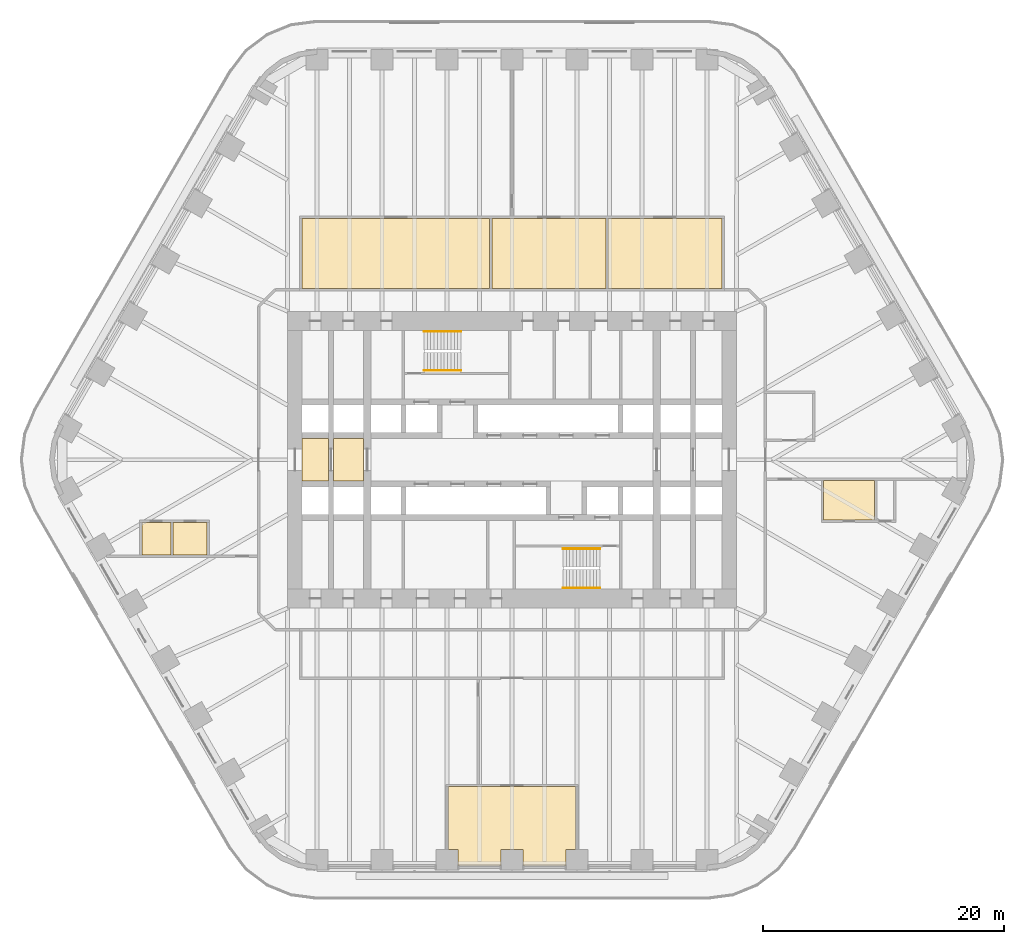
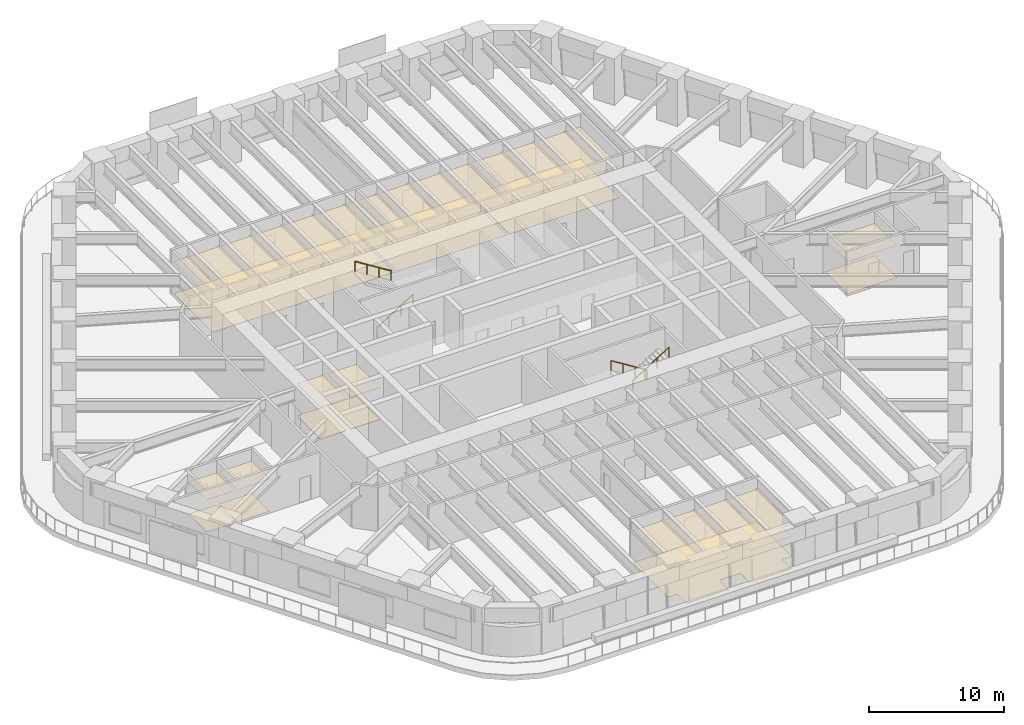
# One storey, part 21 of 23: 6 coverings, 4 railings.
"""IFC4 building model written with IfcOpenShell, lengths in metres."""

from ifc_helpers import new_model, si_unit, direction, frame, origin, origin_2d, place, context, subcontext, project, spatial, polyline, circle, outline, extrude, material, layer, layer_set, type_object, element, save


model = new_model("IFC4")

# Units and contexts
model_context = context("Model", 3, precision=1e-05, world=origin(), true_north=direction((0.0, 1.0)))
body_context = subcontext(model_context, "Body", "Model", "MODEL_VIEW")
ifc_project = project(units=[si_unit("LENGTHUNIT", "METRE"), si_unit("AREAUNIT", "SQUARE_METRE"), si_unit("VOLUMEUNIT", "CUBIC_METRE"), si_unit("PLANEANGLEUNIT", "RADIAN"), si_unit("MASSUNIT", "GRAM", prefix="KILO")], contexts=[model_context])

# Site, building, storey
site_placement = place(None, origin())
site = spatial("IfcSite", under=ifc_project, at=site_placement, CompositionType="ELEMENT")
building_placement = place(site_placement, origin())
building = spatial("IfcBuilding", under=site, at=building_placement, Name="Tarfa Lantern Tower", CompositionType="ELEMENT")
storey_placement = place(building_placement, frame((0.0, 0.0, 99.10009765625)))
storey = spatial("IfcBuildingStorey", under=building, at=storey_placement, Name="L22", CompositionType="ELEMENT", Elevation=99.10009765625)

# Coverings
ifc_material_1 = material(Name="Mineral fibre acoustic tile on suspension grid", Category="finish")
ifc_layer_1 = layer(ifc_material_1, 0.02001953125)
ifc_layer_set_1 = layer_set([ifc_layer_1], Name="CL1 ACOUSTIC TILE CEILING 20")
covering_type_1 = type_object("IfcCoveringType", Name="CL1 ACOUSTIC TILE CEILING 20", PredefinedType="CEILING", material=ifc_layer_set_1)
covering_1_placement = place(storey_placement, frame((0.0, 0.0, 2.89990234375)))
element("IfcCovering", 1, at=covering_1_placement, inside=storey, type_object=covering_type_1, Name="Ceiling L22 CL1", PredefinedType="CEILING", context=body_context, shape_type="SweptSolid", body=[
    extrude(outline(polyline([(-17.39990234375, 20.0), (-1.85009765625, 20.0), (-1.85009765625, 14.199951171875), (-17.39990234375, 14.199951171875), (-17.39990234375, 20.0)])), origin(), (0.0, 0.0, 1.0), 0.02001953125),
    extrude(outline(polyline([(-1.64990234375, 20.0), (7.77490234375, 20.0), (7.77490234375, 14.199951171875), (-1.64990234375, 14.199951171875), (-1.64990234375, 20.0)])), origin(), (0.0, 0.0, 1.0), 0.02001953125),
    extrude(outline(polyline([(7.97509765625, 20.0), (17.39990234375, 20.0), (17.39990234375, 14.199951171875), (7.97509765625, 14.199951171875), (7.97509765625, 20.0)])), origin(), (0.0, 0.0, 1.0), 0.02001953125),
    extrude(outline(polyline([(-5.28857421875, -27.10009765625), (5.28857421875, -27.10009765625), (5.28857421875, -32.300048828125), (4.488525390625, -32.300048828125), (4.488525390625, -33.64990234375), (0.89990234375, -33.64990234375), (0.89990234375, -32.300048828125), (-0.89990234375, -32.300048828125), (-0.89990234375, -33.64990234375), (-4.488525390625, -33.64990234375), (-4.488525390625, -32.300048828125), (-5.28857421875, -32.300048828125), (-5.28857421875, -27.10009765625)])), origin(), (0.0, 0.0, 1.0), 0.02001953125),
    extrude(outline(polyline([(-28.0810546875, -5.199951171875), (-25.281005859375, -5.199951171875), (-25.281005859375, -7.89990234375), (-28.0810546875, -7.89990234375), (-28.0810546875, -5.199951171875)])), origin(), (0.0, 0.0, 1.0), 0.02001953125),
    extrude(outline(polyline([(-30.680908203125, -5.199951171875), (-28.281005859375, -5.199951171875), (-28.281005859375, -7.89990234375), (-30.680908203125, -7.89990234375), (-30.680908203125, -5.199951171875)])), origin(), (0.0, 0.0, 1.0), 0.02001953125),
    extrude(outline(polyline([(30.03662109375, -5.0), (25.83642578125, -5.0), (25.83642578125, -1.699951171875), (30.03662109375, -1.699951171875), (30.03662109375, -5.0)])), origin(), (0.0, 0.0, 1.0), 0.02001953125),
])
ifc_material_2 = material(Name="Powder-coated aluminium panel", Category="aluminium")
ifc_layer_2 = layer(ifc_material_2, 0.030029296875)
ifc_layer_set_2 = layer_set([ifc_layer_2], Name="CL3 METAL PANEL CEILING 30")
covering_type_2 = type_object("IfcCoveringType", Name="CL3 METAL PANEL CEILING 30", PredefinedType="CEILING", material=ifc_layer_set_2)
covering_2_placement = place(storey_placement, frame((0.0, 0.0, 2.89990234375)))
element("IfcCovering", 2, at=covering_2_placement, inside=storey, type_object=covering_type_2, Name="Ceiling L22-01", PredefinedType="CEILING", context=body_context, shape_type="SweptSolid", body=[
    extrude(outline(polyline([(-17.39990234375, -1.75), (-15.199951171875, -1.75), (-15.199951171875, 1.75), (-17.39990234375, 1.75), (-17.39990234375, -1.75)])), origin(), (0.0, 0.0, 1.0), 0.030029296875),
])
covering_3_placement = place(storey_placement, frame((0.0, 0.0, 2.89990234375)))
element("IfcCovering", 3, at=covering_3_placement, inside=storey, type_object=covering_type_2, Name="Ceiling L22-02", PredefinedType="CEILING", context=body_context, shape_type="SweptSolid", body=[
    extrude(outline(polyline([(-14.800048828125, -1.75), (-12.300048828125, -1.75), (-12.300048828125, 1.75), (-14.800048828125, 1.75), (-14.800048828125, -1.75)])), origin(), (0.0, 0.0, 1.0), 0.030029296875),
])
ifc_material_3 = material(Name="Nylon carpet tile", Category="finish")
ifc_layer_3 = layer(ifc_material_3, 0.010009765625)
ifc_layer_set_3 = layer_set([ifc_layer_3], Name="FL1 CARPET TILE 10")
covering_type_3 = type_object("IfcCoveringType", Name="FL1 CARPET TILE 10", PredefinedType="FLOORING", material=ifc_layer_set_3)
covering_4_placement = place(storey_placement, origin())
element("IfcCovering", 4, at=covering_4_placement, inside=storey, type_object=covering_type_3, Name="Floor finish L22 FL1", PredefinedType="FLOORING", context=body_context, shape_type="SweptSolid", body=[
    extrude(outline(polyline([(-17.39990234375, 20.0), (-1.85009765625, 20.0), (-1.85009765625, 14.199951171875), (-17.39990234375, 14.199951171875), (-17.39990234375, 20.0)])), origin(), (0.0, 0.0, 1.0), 0.010009765625),
    extrude(outline(polyline([(-1.64990234375, 20.0), (7.77490234375, 20.0), (7.77490234375, 14.199951171875), (-1.64990234375, 14.199951171875), (-1.64990234375, 20.0)])), origin(), (0.0, 0.0, 1.0), 0.010009765625),
    extrude(outline(polyline([(7.97509765625, 20.0), (17.39990234375, 20.0), (17.39990234375, 14.199951171875), (7.97509765625, 14.199951171875), (7.97509765625, 20.0)])), origin(), (0.0, 0.0, 1.0), 0.010009765625),
    extrude(outline(polyline([(-5.28857421875, -27.10009765625), (5.28857421875, -27.10009765625), (5.28857421875, -32.300048828125), (4.488525390625, -32.300048828125), (4.488525390625, -33.64990234375), (0.89990234375, -33.64990234375), (0.89990234375, -32.300048828125), (-0.89990234375, -32.300048828125), (-0.89990234375, -33.64990234375), (-4.488525390625, -33.64990234375), (-4.488525390625, -32.300048828125), (-5.28857421875, -32.300048828125), (-5.28857421875, -27.10009765625)])), origin(), (0.0, 0.0, 1.0), 0.010009765625),
    extrude(outline(polyline([(-28.0810546875, -5.199951171875), (-25.281005859375, -5.199951171875), (-25.281005859375, -7.89990234375), (-28.0810546875, -7.89990234375), (-28.0810546875, -5.199951171875)])), origin(), (0.0, 0.0, 1.0), 0.010009765625),
    extrude(outline(polyline([(-30.680908203125, -5.199951171875), (-28.281005859375, -5.199951171875), (-28.281005859375, -7.89990234375), (-30.680908203125, -7.89990234375), (-30.680908203125, -5.199951171875)])), origin(), (0.0, 0.0, 1.0), 0.010009765625),
    extrude(outline(polyline([(30.03662109375, -5.0), (25.83642578125, -5.0), (25.83642578125, -1.699951171875), (30.03662109375, -1.699951171875), (30.03662109375, -5.0)])), origin(), (0.0, 0.0, 1.0), 0.010009765625),
])
ifc_material_4 = material(Name="Honed limestone flooring", Category="masonry")
ifc_layer_4 = layer(ifc_material_4, 0.030029296875)
ifc_layer_set_4 = layer_set([ifc_layer_4], Name="FL2 STONE FLOORING 30")
covering_type_4 = type_object("IfcCoveringType", Name="FL2 STONE FLOORING 30", PredefinedType="FLOORING", material=ifc_layer_set_4)
covering_5_placement = place(storey_placement, origin())
element("IfcCovering", 5, at=covering_5_placement, inside=storey, type_object=covering_type_4, Name="Floor finish L22-01", PredefinedType="FLOORING", context=body_context, shape_type="SweptSolid", body=[
    extrude(outline(polyline([(-17.39990234375, -1.75), (-15.199951171875, -1.75), (-15.199951171875, 1.75), (-17.39990234375, 1.75), (-17.39990234375, -1.75)])), origin(), (0.0, 0.0, 1.0), 0.02978515625),
])
covering_6_placement = place(storey_placement, origin())
element("IfcCovering", 6, at=covering_6_placement, inside=storey, type_object=covering_type_4, Name="Floor finish L22-02", PredefinedType="FLOORING", context=body_context, shape_type="SweptSolid", body=[
    extrude(outline(polyline([(-14.800048828125, -1.75), (-12.300048828125, -1.75), (-12.300048828125, 1.75), (-14.800048828125, 1.75), (-14.800048828125, -1.75)])), origin(), (0.0, 0.0, 1.0), 0.02978515625),
])

# Railings
ifc_material_5 = material(Name="Stainless steel", Category="steel")
railing_type = type_object("IfcRailingType", Name="HR1 HANDRAIL 900", PredefinedType="HANDRAIL", material=ifc_material_5)
railing_1_placement = place(storey_placement, frame((-7.300048828125, 7.3798828125, 0.1748046875)))
element("IfcRailing", 7, at=railing_1_placement, inside=storey, type_object=railing_type, Name="Handrail 1", PredefinedType="HANDRAIL", context=body_context, shape_type="SweptSolid", body=[
    extrude(circle(Radius=0.02392578125, at=origin_2d()), frame((0.0, 0.0, 0.8759765625), z_axis=(0.847998304005, 0.0, 0.529998940003), x_axis=(0.0, 1.0, 0.0)), (0.0, 0.0, 1.0), 3.632080078125),
    extrude(circle(Radius=0.02099609375, at=origin_2d()), frame((0.0, 0.0, 0.0), z_axis=(0.0, 0.0, 1.0), x_axis=(0.0, 1.0, 0.0)), (0.0, 0.0, 1.0), 0.851806640625),
    extrude(circle(Radius=0.02099609375, at=origin_2d()), frame((1.026611328125, 0.0, 0.6416015625), z_axis=(0.0, 0.0, 1.0), x_axis=(0.0, 1.0, 0.0)), (0.0, 0.0, 1.0), 0.851806640625),
    extrude(circle(Radius=0.02099609375, at=origin_2d()), frame((2.053466796875, 0.0, 1.283447265625), z_axis=(0.0, 0.0, 1.0), x_axis=(0.0, 1.0, 0.0)), (0.0, 0.0, 1.0), 0.851806640625),
    extrude(circle(Radius=0.02099609375, at=origin_2d()), frame((3.080078125, 0.0, 1.925048828125), z_axis=(0.0, 0.0, 1.0), x_axis=(0.0, 1.0, 0.0)), (0.0, 0.0, 1.0), 0.851806640625),
])
for number, where, name in (
    (8, (-4.219970703125, 10.6201171875, 2.27490234375), "Handrail 2"),
    (9, (7.300048828125, -7.3798828125, 0.1748046875), "Handrail 1"),
):
    element("IfcRailing", number, at=place(storey_placement, frame(where)), inside=storey, type_object=railing_type, Name=name, PredefinedType="HANDRAIL", context=body_context, shape_type="SweptSolid", body=[
        extrude(circle(Radius=0.02392578125, at=origin_2d()), frame((0.0, 0.0, 0.8759765625), z_axis=(-0.847998304005, 0.0, 0.529998940003), x_axis=(0.0, -1.0, 0.0)), (0.0, 0.0, 1.0), 3.632080078125),
        extrude(circle(Radius=0.02099609375, at=origin_2d()), frame((0.0, 0.0, 0.0), z_axis=(0.0, 0.0, 1.0), x_axis=(0.0, -1.0, 0.0)), (0.0, 0.0, 1.0), 0.851806640625),
        extrude(circle(Radius=0.02099609375, at=origin_2d()), frame((-1.026611328125, 0.0, 0.6416015625), z_axis=(0.0, 0.0, 1.0), x_axis=(0.0, -1.0, 0.0)), (0.0, 0.0, 1.0), 0.851806640625),
        extrude(circle(Radius=0.02099609375, at=origin_2d()), frame((-2.053466796875, 0.0, 1.283447265625), z_axis=(0.0, 0.0, 1.0), x_axis=(0.0, -1.0, 0.0)), (0.0, 0.0, 1.0), 0.851806640625),
        extrude(circle(Radius=0.02099609375, at=origin_2d()), frame((-3.080078125, 0.0, 1.925048828125), z_axis=(0.0, 0.0, 1.0), x_axis=(0.0, -1.0, 0.0)), (0.0, 0.0, 1.0), 0.851806640625),
    ])
railing_2_placement = place(storey_placement, frame((4.219970703125, -10.6201171875, 2.27490234375)))
element("IfcRailing", 10, at=railing_2_placement, inside=storey, type_object=railing_type, Name="Handrail 2", PredefinedType="HANDRAIL", context=body_context, shape_type="SweptSolid", body=[
    extrude(circle(Radius=0.02392578125, at=origin_2d()), frame((0.0, 0.0, 0.8759765625), z_axis=(0.847998304005, 0.0, 0.529998940003), x_axis=(0.0, 1.0, 0.0)), (0.0, 0.0, 1.0), 3.632080078125),
    extrude(circle(Radius=0.02099609375, at=origin_2d()), frame((0.0, 0.0, 0.0), z_axis=(0.0, 0.0, 1.0), x_axis=(0.0, 1.0, 0.0)), (0.0, 0.0, 1.0), 0.851806640625),
    extrude(circle(Radius=0.02099609375, at=origin_2d()), frame((1.026611328125, 0.0, 0.6416015625), z_axis=(0.0, 0.0, 1.0), x_axis=(0.0, 1.0, 0.0)), (0.0, 0.0, 1.0), 0.851806640625),
    extrude(circle(Radius=0.02099609375, at=origin_2d()), frame((2.053466796875, 0.0, 1.283447265625), z_axis=(0.0, 0.0, 1.0), x_axis=(0.0, 1.0, 0.0)), (0.0, 0.0, 1.0), 0.851806640625),
    extrude(circle(Radius=0.02099609375, at=origin_2d()), frame((3.080078125, 0.0, 1.925048828125), z_axis=(0.0, 0.0, 1.0), x_axis=(0.0, 1.0, 0.0)), (0.0, 0.0, 1.0), 0.851806640625),
])

save(model, "model.ifc")
